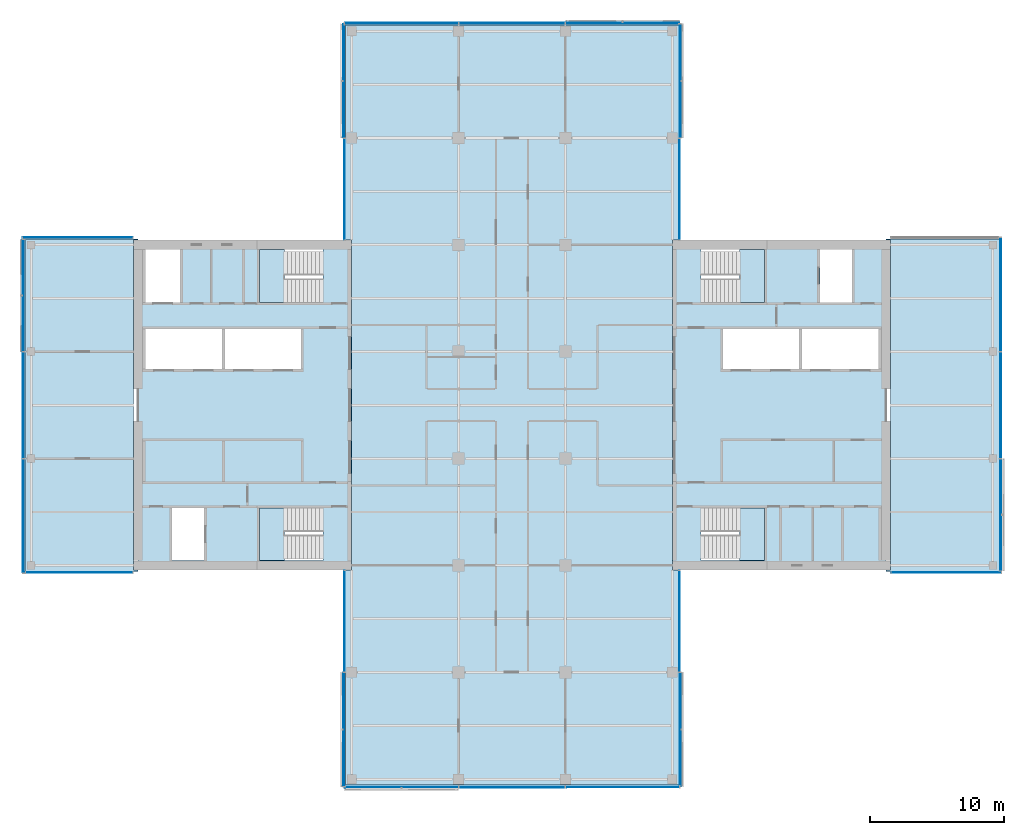
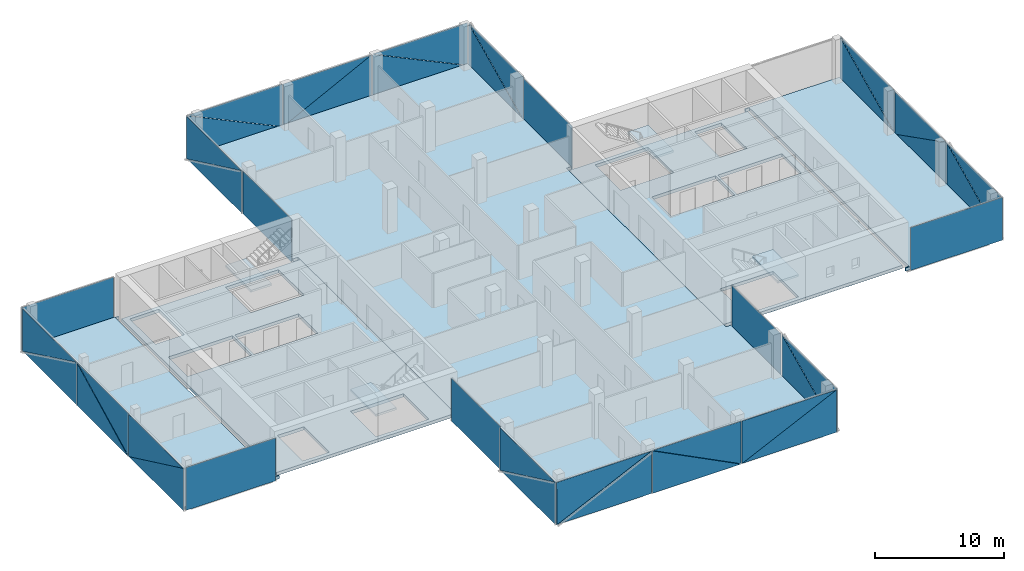
# One storey, part 12 of 22: 39 plates, 9 slabs, 19 elements without a shape of their own.
"""IFC4 building model written with IfcOpenShell, lengths in metres."""

from ifc_helpers import new_model, si_unit, direction, frame, origin, place, context, subcontext, project, spatial, polyline, outline, extrude, material, layer, layer_set, type_object, element, aggregate, save


model = new_model("IFC4")

# Units and contexts
model_context = context("Model", 3, precision=1e-05, world=origin(), true_north=direction((0.0, 1.0)))
body_context = subcontext(model_context, "Body", "Model", "MODEL_VIEW")
ifc_project = project(units=[si_unit("LENGTHUNIT", "METRE"), si_unit("AREAUNIT", "SQUARE_METRE"), si_unit("VOLUMEUNIT", "CUBIC_METRE"), si_unit("PLANEANGLEUNIT", "RADIAN"), si_unit("MASSUNIT", "GRAM", prefix="KILO")], contexts=[model_context])

# Site, building, storey
site_placement = place(None, origin())
site = spatial("IfcSite", under=ifc_project, at=site_placement, CompositionType="ELEMENT")
building_placement = place(site_placement, origin())
building = spatial("IfcBuilding", under=site, at=building_placement, Name="Crosswind Convention Tower", CompositionType="ELEMENT")
storey_placement = place(building_placement, frame((0.0, 0.0, 167.300048828125)))
storey = spatial("IfcBuildingStorey", under=building, at=storey_placement, Name="L35", CompositionType="ELEMENT", Elevation=167.300048828125)

# Slabs
ifc_material_1 = material(Name="Concrete C40/50", Category="concrete")
ifc_layer_1 = layer(ifc_material_1, 0.300048828125)
ifc_layer_set_1 = layer_set([ifc_layer_1], Name="Concrete C40/50")
slab_type_1 = type_object("IfcSlabType", Name="Composite floor slab 300", PredefinedType="FLOOR", material=ifc_layer_set_1)
slab_1_placement = place(storey_placement, frame((0.0, 0.0, -0.300048828125)))
element("IfcSlab", 1, at=slab_1_placement, inside=storey, type_object=slab_type_1, Name="Floor slab L35 part 1", PredefinedType="FLOOR", context=body_context, shape_type="SweptSolid", body=[
    extrude(outline(polyline([(97.0, 87.550048828125), (89.0, 87.550048828125), (88.550048828125, 87.550048828125), (88.550048828125, 88.0), (88.550048828125, 112.0), (88.550048828125, 112.449951171875), (89.0, 112.449951171875), (97.0, 112.449951171875), (97.0, 112.35009765625), (96.64990234375, 112.35009765625), (96.64990234375, 87.64990234375), (97.0, 87.64990234375), (97.0, 87.550048828125)])), origin(), (0.0, 0.0, 1.0), 0.300048828125),
])
slab_2_placement = place(storey_placement, frame((0.0, 0.0, -0.300048828125)))
element("IfcSlab", 2, at=slab_2_placement, inside=storey, type_object=slab_type_1, Name="Floor slab L35 part 2", PredefinedType="FLOOR", context=body_context, shape_type="SweptSolid", body=[
    extrude(outline(polyline([(112.550048828125, 87.64990234375), (113.0, 87.64990234375), (113.0, 112.35009765625), (112.550048828125, 112.35009765625), (112.550048828125, 128.0), (112.550048828125, 128.449951171875), (113.0, 128.449951171875), (137.0, 128.449951171875), (137.449951171875, 128.449951171875), (137.449951171875, 128.0), (137.449951171875, 112.35009765625), (137.0, 112.35009765625), (137.0, 87.64990234375), (137.449951171875, 87.64990234375), (137.449951171875, 72.0), (137.449951171875, 71.550048828125), (137.0, 71.550048828125), (113.0, 71.550048828125), (112.550048828125, 71.550048828125), (112.550048828125, 72.0), (112.550048828125, 87.64990234375)])), origin(), (0.0, 0.0, 1.0), 0.300048828125),
])
slab_3_placement = place(storey_placement, frame((0.0, 0.0, -0.300048828125)))
element("IfcSlab", 3, at=slab_3_placement, inside=storey, type_object=slab_type_1, Name="Floor slab L35 part 3", PredefinedType="FLOOR", context=body_context, shape_type="SweptSolid", body=[
    extrude(outline(polyline([(153.0, 112.449951171875), (161.0, 112.449951171875), (161.449951171875, 112.449951171875), (161.449951171875, 112.0), (161.449951171875, 88.0), (161.449951171875, 87.550048828125), (161.0, 87.550048828125), (153.0, 87.550048828125), (153.0, 87.64990234375), (153.35009765625, 87.64990234375), (153.35009765625, 112.35009765625), (153.0, 112.35009765625), (153.0, 112.449951171875)])), origin(), (0.0, 0.0, 1.0), 0.300048828125),
])
ifc_layer_2 = layer(ifc_material_1, 0.300048828125)
ifc_layer_set_2 = layer_set([ifc_layer_2], Name="Concrete C40/50")
slab_type_2 = type_object("IfcSlabType", Name="Concrete core floor slab 300", PredefinedType="FLOOR", material=ifc_layer_set_2)
slab_4_placement = place(storey_placement, frame((0.0, 0.0, -0.300048828125)))
element("IfcSlab", 4, at=slab_4_placement, inside=storey, type_object=slab_type_2, Name="Core floor slab E L35", PredefinedType="FLOOR", context=body_context, shape_type="SweptSolid", body=[
    extrude(outline(polyline([(137.0, 88.0), (153.0, 88.0), (153.0, 112.0), (137.0, 112.0), (137.0, 88.0)]), holes=[polyline([(146.5, 102.699951171875), (146.5, 105.699951171875), (140.800048828125, 105.699951171875), (140.800048828125, 102.699951171875), (146.5, 102.699951171875)]), polyline([(152.449951171875, 102.699951171875), (152.449951171875, 105.699951171875), (146.699951171875, 105.699951171875), (146.699951171875, 102.699951171875), (152.449951171875, 102.699951171875)]), polyline([(150.449951171875, 107.699951171875), (150.449951171875, 111.64990234375), (148.050048828125, 111.64990234375), (148.050048828125, 107.699951171875), (150.449951171875, 107.699951171875)]), polyline([(143.89990234375, 107.699951171875), (143.89990234375, 111.64990234375), (139.14990234375, 111.64990234375), (139.14990234375, 107.699951171875), (143.89990234375, 107.699951171875)]), polyline([(143.89990234375, 88.35009765625), (143.89990234375, 92.300048828125), (139.14990234375, 92.300048828125), (139.14990234375, 88.35009765625), (143.89990234375, 88.35009765625)])]), origin(), (0.0, 0.0, 1.0), 0.300048828125),
])
slab_5_placement = place(storey_placement, frame((0.0, 0.0, -0.300048828125)))
element("IfcSlab", 5, at=slab_5_placement, inside=storey, type_object=slab_type_2, Name="Core floor slab W L35", PredefinedType="FLOOR", context=body_context, shape_type="SweptSolid", body=[
    extrude(outline(polyline([(97.0, 88.0), (113.0, 88.0), (113.0, 112.0), (97.0, 112.0), (97.0, 88.0)]), holes=[polyline([(109.199951171875, 102.699951171875), (109.199951171875, 105.699951171875), (103.5, 105.699951171875), (103.5, 102.699951171875), (109.199951171875, 102.699951171875)]), polyline([(103.300048828125, 102.699951171875), (103.300048828125, 105.699951171875), (97.550048828125, 105.699951171875), (97.550048828125, 102.699951171875), (103.300048828125, 102.699951171875)]), polyline([(101.949951171875, 88.35009765625), (101.949951171875, 92.300048828125), (99.550048828125, 92.300048828125), (99.550048828125, 88.35009765625), (101.949951171875, 88.35009765625)]), polyline([(100.14990234375, 107.699951171875), (100.14990234375, 111.64990234375), (97.550048828125, 111.64990234375), (97.550048828125, 107.699951171875), (100.14990234375, 107.699951171875)]), polyline([(110.85009765625, 88.35009765625), (110.85009765625, 92.300048828125), (106.10009765625, 92.300048828125), (106.10009765625, 88.35009765625), (110.85009765625, 88.35009765625)]), polyline([(110.85009765625, 107.699951171875), (110.85009765625, 111.64990234375), (106.10009765625, 111.64990234375), (106.10009765625, 107.699951171875), (110.85009765625, 107.699951171875)])]), origin(), (0.0, 0.0, 1.0), 0.300048828125),
])

# Stair, slab
stair_type = type_object("IfcStairType", Name="Exit stair 1800 wide, 2 flights of 11 risers", PredefinedType="HALF_TURN_STAIR", material=ifc_material_1)
stair_1_placement = place(storey_placement, origin())
stair_1 = element("IfcStair", 6, at=stair_1_placement, inside=storey, type_object=stair_type, Name="Exit stair ST1 L35", ObjectType="ST5", PredefinedType="HALF_TURN_STAIR")
ifc_layer_3 = layer(ifc_material_1, 0.199951171875)
ifc_layer_set_3 = layer_set([ifc_layer_3], Name="Concrete C40/50")
slab_type_3 = type_object("IfcSlabType", Name="Stair landing 200", PredefinedType="LANDING", material=ifc_layer_set_3)
slab_6_placement = place(storey_placement, frame((0.0, 0.0, 1.89990234375)))
slab_6 = element("IfcSlab", 7, at=slab_6_placement, type_object=slab_type_3, Name="ST1 landing 1", PredefinedType="LANDING", context=body_context, shape_type="SweptSolid", body=[
    extrude(outline(polyline([(143.89990234375, 107.699951171875), (143.89990234375, 111.64990234375), (142.050048828125, 111.64990234375), (142.050048828125, 107.699951171875), (143.89990234375, 107.699951171875)])), origin(), (0.0, 0.0, 1.0), 0.199951171875),
])
aggregate(stair_1, [slab_6])

stair_2_placement = place(storey_placement, origin())
stair_2 = element("IfcStair", 8, at=stair_2_placement, inside=storey, type_object=stair_type, Name="Exit stair ST2 L35", ObjectType="ST5", PredefinedType="HALF_TURN_STAIR")
slab_7_placement = place(storey_placement, frame((0.0, 0.0, 1.89990234375)))
slab_7 = element("IfcSlab", 9, at=slab_7_placement, type_object=slab_type_3, Name="ST2 landing 1", PredefinedType="LANDING", context=body_context, shape_type="SweptSolid", body=[
    extrude(outline(polyline([(143.89990234375, 88.35009765625), (143.89990234375, 92.300048828125), (142.050048828125, 92.300048828125), (142.050048828125, 88.35009765625), (143.89990234375, 88.35009765625)])), origin(), (0.0, 0.0, 1.0), 0.199951171875),
])
aggregate(stair_2, [slab_7])

stair_3_placement = place(storey_placement, origin())
stair_3 = element("IfcStair", 10, at=stair_3_placement, inside=storey, type_object=stair_type, Name="Exit stair ST3 L35", ObjectType="ST5", PredefinedType="HALF_TURN_STAIR")
slab_8_placement = place(storey_placement, frame((0.0, 0.0, 1.89990234375)))
slab_8 = element("IfcSlab", 11, at=slab_8_placement, type_object=slab_type_3, Name="ST3 landing 1", PredefinedType="LANDING", context=body_context, shape_type="SweptSolid", body=[
    extrude(outline(polyline([(107.949951171875, 88.35009765625), (107.949951171875, 92.300048828125), (106.10009765625, 92.300048828125), (106.10009765625, 88.35009765625), (107.949951171875, 88.35009765625)])), origin(), (0.0, 0.0, 1.0), 0.199951171875),
])
aggregate(stair_3, [slab_8])

stair_4_placement = place(storey_placement, origin())
stair_4 = element("IfcStair", 12, at=stair_4_placement, inside=storey, type_object=stair_type, Name="Exit stair ST4 L35", ObjectType="ST5", PredefinedType="HALF_TURN_STAIR")
slab_9_placement = place(storey_placement, frame((0.0, 0.0, 1.89990234375)))
slab_9 = element("IfcSlab", 13, at=slab_9_placement, type_object=slab_type_3, Name="ST4 landing 1", PredefinedType="LANDING", context=body_context, shape_type="SweptSolid", body=[
    extrude(outline(polyline([(107.949951171875, 107.699951171875), (107.949951171875, 111.64990234375), (106.10009765625, 111.64990234375), (106.10009765625, 107.699951171875), (107.949951171875, 107.699951171875)])), origin(), (0.0, 0.0, 1.0), 0.199951171875),
])
aggregate(stair_4, [slab_9])

# Curtain wall, plate
ifc_material_2 = material(Name="Aluminium unitised curtain wall", Category="aluminium")
curtain_wall_type_1 = type_object("IfcCurtainWallType", Name="CORE END SLOT WALL 160", PredefinedType="USERDEFINED", material=ifc_material_2)
curtain_wall_1_placement = place(storey_placement, origin())
curtain_wall_1 = element("IfcCurtainWall", 14, at=curtain_wall_1_placement, inside=storey, type_object=curtain_wall_type_1, Name="CW6 L35 N-E.1-1 slot", ObjectType="UNITISED", PredefinedType="USERDEFINED")
ifc_material_3 = material(Name="Laminated insulating glass unit", Category="glass")
ifc_layer_4 = layer(ifc_material_3, 0.02587890625)
ifc_layer_set_4 = layer_set([ifc_layer_4], Name="TRIANGULAR GLASS PANEL 26")
plate_type_1 = type_object("IfcPlateType", Name="TRIANGULAR GLASS PANEL 26", PredefinedType="CURTAIN_PANEL", material=ifc_layer_set_4)
plate_1_placement = place(storey_placement, frame((137.556884765625, 112.39990234375, -0.300048828125), z_axis=(0.999999910972, 0.0, 0.000421966326), x_axis=(0.0, 1.0, 0.0)))
plate_1 = element("IfcPlate", 15, at=plate_1_placement, type_object=plate_type_1, Name="CW6 panel 1.1", PredefinedType="CURTAIN_PANEL", context=body_context, shape_type="SweptSolid", body=[
    extrude(outline(polyline([(0.0, 0.0), (7.550048828125, 0.0), (7.550048828125, 4.050049188691945), (0.0, 4.050049188691945), (0.0, 0.0)])), origin(), (0.0, 0.0, -1.0), 0.02587890625),
])
aggregate(curtain_wall_1, [plate_1])

curtain_wall_2_placement = place(storey_placement, origin())
curtain_wall_2 = element("IfcCurtainWall", 16, at=curtain_wall_2_placement, inside=storey, type_object=curtain_wall_type_1, Name="CW6 L35 N-W.1-2 slot", ObjectType="UNITISED", PredefinedType="USERDEFINED")
plate_2_placement = place(storey_placement, frame((112.443115234375, 119.949951171875, -0.300048828125), z_axis=(-0.999999910972, 0.0, 0.000421966326), x_axis=(0.0, -1.0, 0.0)))
plate_2 = element("IfcPlate", 17, at=plate_2_placement, type_object=plate_type_1, Name="CW6 panel 1.1", PredefinedType="CURTAIN_PANEL", context=body_context, shape_type="SweptSolid", body=[
    extrude(outline(polyline([(0.0, 0.0), (7.550048828125, 0.0), (7.550048828125, 4.050049188691945), (0.0, 4.050049188691945), (0.0, 0.0)])), origin(), (0.0, 0.0, -1.0), 0.02587890625),
])
aggregate(curtain_wall_2, [plate_2])

curtain_wall_3_placement = place(storey_placement, origin())
curtain_wall_3 = element("IfcCurtainWall", 18, at=curtain_wall_3_placement, inside=storey, type_object=curtain_wall_type_1, Name="CW6 L35 W-N.2-1 slot", ObjectType="UNITISED", PredefinedType="USERDEFINED")
plate_3_placement = place(storey_placement, frame((96.60009765625, 112.556884765625, -0.300048828125), z_axis=(0.0, 0.999999910972, 0.000421966326), x_axis=(-1.0, 0.0, 0.0)))
plate_3 = element("IfcPlate", 19, at=plate_3_placement, type_object=plate_type_1, Name="CW6 panel 1.1", PredefinedType="CURTAIN_PANEL", context=body_context, shape_type="SweptSolid", body=[
    extrude(outline(polyline([(0.0, 0.0), (8.22021484375, 0.0), (8.22021484375, 4.050049188691944), (0.0, 4.050049188691944), (0.0, 0.0)])), origin(), (0.0, 0.0, -1.0), 0.02587890625),
])
aggregate(curtain_wall_3, [plate_3])

curtain_wall_4_placement = place(storey_placement, origin())
curtain_wall_4 = element("IfcCurtainWall", 20, at=curtain_wall_4_placement, inside=storey, type_object=curtain_wall_type_1, Name="CW6 L35 W-S.1-1 slot", ObjectType="UNITISED", PredefinedType="USERDEFINED")
plate_4_placement = place(storey_placement, frame((88.60009765625, 87.443115234375, -0.300048828125), z_axis=(0.0, -0.999999910972, 0.000421966326), x_axis=(1.0, 0.0, 0.0)))
plate_4 = element("IfcPlate", 21, at=plate_4_placement, type_object=plate_type_1, Name="CW6 panel 1.1", PredefinedType="CURTAIN_PANEL", context=body_context, shape_type="SweptSolid", body=[
    extrude(outline(polyline([(0.0, 0.0), (8.0, 0.0), (8.0, 4.050049188691945), (0.0, 4.050049188691945), (0.0, 0.0)])), origin(), (0.0, 0.0, -1.0), 0.02587890625),
])
aggregate(curtain_wall_4, [plate_4])

curtain_wall_5_placement = place(storey_placement, origin())
curtain_wall_5 = element("IfcCurtainWall", 22, at=curtain_wall_5_placement, inside=storey, type_object=curtain_wall_type_1, Name="CW6 L35 S-W.1-1 slot", ObjectType="UNITISED", PredefinedType="USERDEFINED")
plate_5_placement = place(storey_placement, frame((112.443115234375, 87.60009765625, -0.300048828125), z_axis=(-0.999999910972, 0.0, 0.000421966326), x_axis=(0.0, -1.0, 0.0)))
plate_5 = element("IfcPlate", 23, at=plate_5_placement, type_object=plate_type_1, Name="CW6 panel 1.1", PredefinedType="CURTAIN_PANEL", context=body_context, shape_type="SweptSolid", body=[
    extrude(outline(polyline([(0.0, 0.0), (7.550048828125, 0.0), (7.550048828125, 4.050049188691945), (0.0, 4.050049188691945), (0.0, 0.0)])), origin(), (0.0, 0.0, -1.0), 0.02587890625),
])
aggregate(curtain_wall_5, [plate_5])

curtain_wall_6_placement = place(storey_placement, origin())
curtain_wall_6 = element("IfcCurtainWall", 24, at=curtain_wall_6_placement, inside=storey, type_object=curtain_wall_type_1, Name="CW6 L35 S-E.1-2 slot", ObjectType="UNITISED", PredefinedType="USERDEFINED")
plate_6_placement = place(storey_placement, frame((137.556884765625, 80.050048828125, -0.300048828125), z_axis=(0.999999910972, 0.0, 0.000421966326), x_axis=(0.0, 1.0, 0.0)))
plate_6 = element("IfcPlate", 25, at=plate_6_placement, type_object=plate_type_1, Name="CW6 panel 1.1", PredefinedType="CURTAIN_PANEL", context=body_context, shape_type="SweptSolid", body=[
    extrude(outline(polyline([(0.0, 0.0), (7.550048828125, 0.0), (7.550048828125, 4.050049188691945), (0.0, 4.050049188691945), (0.0, 0.0)])), origin(), (0.0, 0.0, -1.0), 0.02587890625),
])
aggregate(curtain_wall_6, [plate_6])

curtain_wall_7_placement = place(storey_placement, origin())
curtain_wall_7 = element("IfcCurtainWall", 26, at=curtain_wall_7_placement, inside=storey, type_object=curtain_wall_type_1, Name="CW6 L35 E-S.2-1 slot", ObjectType="UNITISED", PredefinedType="USERDEFINED")
plate_7_placement = place(storey_placement, frame((153.39990234375, 87.443115234375, -0.300048828125), z_axis=(0.0, -0.999999910972, 0.000421966326), x_axis=(1.0, 0.0, 0.0)))
plate_7 = element("IfcPlate", 27, at=plate_7_placement, type_object=plate_type_1, Name="CW6 panel 1.1", PredefinedType="CURTAIN_PANEL", context=body_context, shape_type="SweptSolid", body=[
    extrude(outline(polyline([(0.0, 0.0), (8.22021484375, 0.0), (8.22021484375, 4.050049188691944), (0.0, 4.050049188691944), (0.0, 0.0)])), origin(), (0.0, 0.0, -1.0), 0.02587890625),
])
aggregate(curtain_wall_7, [plate_7])

# Curtain wall, plates
curtain_wall_type_2 = type_object("IfcCurtainWallType", Name="OFFICE UNITISED WALL 220", PredefinedType="USERDEFINED", material=ifc_material_2)
curtain_wall_8_placement = place(storey_placement, origin())
curtain_wall_8 = element("IfcCurtainWall", 28, at=curtain_wall_8_placement, inside=storey, type_object=curtain_wall_type_2, Name="CW3 L35 E-TIP 1", ObjectType="UNITISED", PredefinedType="USERDEFINED")
ifc_layer_5 = layer(ifc_material_3, 0.031982421875)
ifc_layer_set_5 = layer_set([ifc_layer_5], Name="TRIANGULAR GLASS PANEL 32")
plate_type_2 = type_object("IfcPlateType", Name="TRIANGULAR GLASS PANEL 32", PredefinedType="CURTAIN_PANEL", material=ifc_layer_set_5)
plate_8_placement = place(storey_placement, frame((161.5927734375, 95.965087890625, -0.300048828125), z_axis=(0.999999933571, 0.0, 0.00036449788), x_axis=(-0.00036449788, 0.0, 0.999999933571)))
plate_8 = element("IfcPlate", 29, at=plate_8_placement, type_object=plate_type_2, Name="CW3 panel 1.1", PredefinedType="CURTAIN_PANEL", context=body_context, shape_type="SweptSolid", body=[
    extrude(outline(polyline([(0.0, 0.0), (4.01879909509123, 0.0), (0.0, 8.322021484374998), (0.0, 0.0)])), origin(), (0.0, 0.0, -1.0), 0.031982421875),
])
plate_9_placement = place(storey_placement, frame((161.625244140625, 87.6201171875, 3.72998046875), z_axis=(0.999999933579, 0.0, 0.000364475738), x_axis=(0.000364475738, 0.0, -0.999999933579)))
plate_9 = element("IfcPlate", 30, at=plate_9_placement, type_object=plate_type_2, Name="CW3 panel 1.2", PredefinedType="CURTAIN_PANEL", context=body_context, shape_type="SweptSolid", body=[
    extrude(outline(polyline([(0.0, 0.0), (4.019043235700012, 0.0), (0.0, 8.321777343750002), (0.0, 0.0)])), origin(), (0.0, 0.0, -1.0), 0.031982421875),
])
plate_10_placement = place(storey_placement, frame((161.59130859375, 103.965087890625, 3.72998046875), z_axis=(0.999999933571, 0.0, 0.00036449788), x_axis=(0.0, -1.0, 0.0)))
plate_10 = element("IfcPlate", 31, at=plate_10_placement, type_object=plate_type_2, Name="CW3 panel 2.1", PredefinedType="CURTAIN_PANEL", context=body_context, shape_type="SweptSolid", body=[
    extrude(outline(polyline([(0.0, 0.0), (7.907958984375, 0.0), (0.0, 4.01879909509123), (0.0, 0.0)])), origin(), (0.0, 0.0, -1.0), 0.031982421875),
])
plate_11_placement = place(storey_placement, frame((161.626708984375, 96.034912109375, -0.300048828125), z_axis=(0.999999933571, 0.0, 0.00036449788), x_axis=(0.0, 1.0, 0.0)))
plate_11 = element("IfcPlate", 32, at=plate_11_placement, type_object=plate_type_2, Name="CW3 panel 2.2", PredefinedType="CURTAIN_PANEL", context=body_context, shape_type="SweptSolid", body=[
    extrude(outline(polyline([(0.0, 0.0), (7.907958984375, 0.0), (0.0, 4.01879909509123), (0.0, 0.0)])), origin(), (0.0, 0.0, -1.0), 0.031982421875),
])
plate_12_placement = place(storey_placement, frame((161.5927734375, 112.5400390625, -0.300048828125), z_axis=(0.999999933579, 0.0, 0.000364475738), x_axis=(-0.000364475738, 0.0, 0.999999933579)))
plate_12 = element("IfcPlate", 33, at=plate_12_placement, type_object=plate_type_2, Name="CW3 panel 3.1", PredefinedType="CURTAIN_PANEL", context=body_context, shape_type="SweptSolid", body=[
    extrude(outline(polyline([(0.0, 0.0), (4.019043235700012, 0.0), (0.0, 8.481689453125), (0.0, 0.0)])), origin(), (0.0, 0.0, -1.0), 0.031982421875),
])
plate_13_placement = place(storey_placement, frame((161.625244140625, 104.034912109375, 3.72998046875), z_axis=(0.999999933579, 0.0, 0.000364475738), x_axis=(0.000364475738, 0.0, -0.999999933579)))
plate_13 = element("IfcPlate", 34, at=plate_13_placement, type_object=plate_type_2, Name="CW3 panel 3.2", PredefinedType="CURTAIN_PANEL", context=body_context, shape_type="SweptSolid", body=[
    extrude(outline(polyline([(0.0, 0.0), (4.019043235700012, 0.0), (0.0, 8.481689453125), (0.0, 0.0)])), origin(), (0.0, 0.0, -1.0), 0.031982421875),
])
aggregate(curtain_wall_8, [plate_8, plate_9, plate_10, plate_11, plate_12, plate_13])

curtain_wall_9_placement = place(storey_placement, origin())
curtain_wall_9 = element("IfcCurtainWall", 35, at=curtain_wall_9_placement, inside=storey, type_object=curtain_wall_type_2, Name="CW3 L35 N-E 1", ObjectType="UNITISED", PredefinedType="USERDEFINED")
plate_14_placement = place(storey_placement, frame((137.5927734375, 128.52490234375, -0.300048828125), z_axis=(0.999999933579, 0.0, 0.000364475738), x_axis=(-0.000364475738, 0.0, 0.999999933579)))
plate_14 = element("IfcPlate", 36, at=plate_14_placement, type_object=plate_type_2, Name="CW3 panel 1.1", PredefinedType="CURTAIN_PANEL", context=body_context, shape_type="SweptSolid", body=[
    extrude(outline(polyline([(0.0, 0.0), (4.019043235700012, 0.0), (0.0, 8.466552734375), (0.0, 0.0)])), origin(), (0.0, 0.0, -1.0), 0.031982421875),
])
plate_15_placement = place(storey_placement, frame((137.625244140625, 120.034912109375, 3.72998046875), z_axis=(0.999999933579, 0.0, 0.000364475738), x_axis=(0.000364475738, 0.0, -0.999999933579)))
plate_15 = element("IfcPlate", 37, at=plate_15_placement, type_object=plate_type_2, Name="CW3 panel 1.2", PredefinedType="CURTAIN_PANEL", context=body_context, shape_type="SweptSolid", body=[
    extrude(outline(polyline([(0.0, 0.0), (4.019043235700012, 0.0), (0.0, 8.466796875), (0.0, 0.0)])), origin(), (0.0, 0.0, -1.0), 0.031982421875),
])
aggregate(curtain_wall_9, [plate_14, plate_15])

curtain_wall_10_placement = place(storey_placement, origin())
curtain_wall_10 = element("IfcCurtainWall", 38, at=curtain_wall_10_placement, inside=storey, type_object=curtain_wall_type_2, Name="CW3 L35 N-TIP 1", ObjectType="UNITISED", PredefinedType="USERDEFINED")
plate_16_placement = place(storey_placement, frame((129.034912109375, 128.5927734375, -0.300048828125), z_axis=(0.0, 0.999999933579, 0.000364475738), x_axis=(0.0, -0.000364475738, 0.999999933579)))
plate_16 = element("IfcPlate", 39, at=plate_16_placement, type_object=plate_type_2, Name="CW3 panel 1.1", PredefinedType="CURTAIN_PANEL", context=body_context, shape_type="SweptSolid", body=[
    extrude(outline(polyline([(0.0, 0.0), (4.019043235700012, 0.0), (0.0, 8.466796875), (0.0, 0.0)])), origin(), (0.0, 0.0, -1.0), 0.031982421875),
])
plate_17_placement = place(storey_placement, frame((137.52490234375, 128.625244140625, 3.72998046875), z_axis=(0.0, 0.999999933579, 0.000364475738), x_axis=(0.0, 0.000364475738, -0.999999933579)))
plate_17 = element("IfcPlate", 40, at=plate_17_placement, type_object=plate_type_2, Name="CW3 panel 1.2", PredefinedType="CURTAIN_PANEL", context=body_context, shape_type="SweptSolid", body=[
    extrude(outline(polyline([(0.0, 0.0), (4.019043235700012, 0.0), (0.0, 8.466552734375), (0.0, 0.0)])), origin(), (0.0, 0.0, -1.0), 0.031982421875),
])
plate_18_placement = place(storey_placement, frame((121.034912109375, 128.59130859375, 3.72998046875), z_axis=(0.0, 0.999999933571, 0.00036449788), x_axis=(1.0, 0.0, 0.0)))
plate_18 = element("IfcPlate", 41, at=plate_18_placement, type_object=plate_type_2, Name="CW3 panel 2.1", PredefinedType="CURTAIN_PANEL", context=body_context, shape_type="SweptSolid", body=[
    extrude(outline(polyline([(0.0, 0.0), (7.907958984375, 0.0), (0.0, 4.01879909509123), (0.0, 0.0)])), origin(), (0.0, 0.0, -1.0), 0.031982421875),
])
plate_19_placement = place(storey_placement, frame((128.965087890625, 128.626708984375, -0.300048828125), z_axis=(0.0, 0.999999933571, 0.00036449788), x_axis=(-1.0, 0.0, 0.0)))
plate_19 = element("IfcPlate", 42, at=plate_19_placement, type_object=plate_type_2, Name="CW3 panel 2.2", PredefinedType="CURTAIN_PANEL", context=body_context, shape_type="SweptSolid", body=[
    extrude(outline(polyline([(0.0, 0.0), (7.907958984375, 0.0), (0.0, 4.01879909509123), (0.0, 0.0)])), origin(), (0.0, 0.0, -1.0), 0.031982421875),
])
plate_20_placement = place(storey_placement, frame((112.47509765625, 128.5927734375, -0.300048828125), z_axis=(0.0, 0.999999933579, 0.000364475738), x_axis=(0.0, -0.000364475738, 0.999999933579)))
plate_20 = element("IfcPlate", 43, at=plate_20_placement, type_object=plate_type_2, Name="CW3 panel 3.1", PredefinedType="CURTAIN_PANEL", context=body_context, shape_type="SweptSolid", body=[
    extrude(outline(polyline([(0.0, 0.0), (4.019043235700012, 0.0), (0.0, 8.466552734375), (0.0, 0.0)])), origin(), (0.0, 0.0, -1.0), 0.031982421875),
])
plate_21_placement = place(storey_placement, frame((120.965087890625, 128.625244140625, 3.72998046875), z_axis=(0.0, 0.999999933579, 0.000364475738), x_axis=(0.0, 0.000364475738, -0.999999933579)))
plate_21 = element("IfcPlate", 44, at=plate_21_placement, type_object=plate_type_2, Name="CW3 panel 3.2", PredefinedType="CURTAIN_PANEL", context=body_context, shape_type="SweptSolid", body=[
    extrude(outline(polyline([(0.0, 0.0), (4.019043235700012, 0.0), (0.0, 8.466796875), (0.0, 0.0)])), origin(), (0.0, 0.0, -1.0), 0.031982421875),
])
aggregate(curtain_wall_10, [plate_16, plate_17, plate_18, plate_19, plate_20, plate_21])

curtain_wall_11_placement = place(storey_placement, origin())
curtain_wall_11 = element("IfcCurtainWall", 45, at=curtain_wall_11_placement, inside=storey, type_object=curtain_wall_type_2, Name="CW3 L35 N-W 1", ObjectType="UNITISED", PredefinedType="USERDEFINED")
plate_22_placement = place(storey_placement, frame((112.4072265625, 120.034912109375, -0.300048828125), z_axis=(-0.999999933579, 0.0, 0.000364475738), x_axis=(0.000364475738, 0.0, 0.999999933579)))
plate_22 = element("IfcPlate", 46, at=plate_22_placement, type_object=plate_type_2, Name="CW3 panel 1.1", PredefinedType="CURTAIN_PANEL", context=body_context, shape_type="SweptSolid", body=[
    extrude(outline(polyline([(0.0, 0.0), (4.019043235700012, 0.0), (0.0, 8.466796875), (0.0, 0.0)])), origin(), (0.0, 0.0, -1.0), 0.031982421875),
])
plate_23_placement = place(storey_placement, frame((112.374755859375, 128.52490234375, 3.72998046875), z_axis=(-0.999999933579, 0.0, 0.000364475738), x_axis=(-0.000364475738, 0.0, -0.999999933579)))
plate_23 = element("IfcPlate", 47, at=plate_23_placement, type_object=plate_type_2, Name="CW3 panel 1.2", PredefinedType="CURTAIN_PANEL", context=body_context, shape_type="SweptSolid", body=[
    extrude(outline(polyline([(0.0, 0.0), (4.019043235700012, 0.0), (0.0, 8.466552734375), (0.0, 0.0)])), origin(), (0.0, 0.0, -1.0), 0.031982421875),
])
aggregate(curtain_wall_11, [plate_22, plate_23])

curtain_wall_12_placement = place(storey_placement, origin())
curtain_wall_12 = element("IfcCurtainWall", 48, at=curtain_wall_12_placement, inside=storey, type_object=curtain_wall_type_2, Name="CW3 L35 W-TIP 1", ObjectType="UNITISED", PredefinedType="USERDEFINED")
plate_24_placement = place(storey_placement, frame((88.4072265625, 104.034912109375, -0.300048828125), z_axis=(-0.999999933571, 0.0, 0.00036449788), x_axis=(0.00036449788, 0.0, 0.999999933571)))
plate_24 = element("IfcPlate", 49, at=plate_24_placement, type_object=plate_type_2, Name="CW3 panel 1.1", PredefinedType="CURTAIN_PANEL", context=body_context, shape_type="SweptSolid", body=[
    extrude(outline(polyline([(0.0, 0.0), (4.01879909509123, 0.0), (0.0, 8.322021484374998), (0.0, 0.0)])), origin(), (0.0, 0.0, -1.0), 0.031982421875),
])
plate_25_placement = place(storey_placement, frame((88.374755859375, 112.3798828125, 3.72998046875), z_axis=(-0.999999933579, 0.0, 0.000364475738), x_axis=(-0.000364475738, 0.0, -0.999999933579)))
plate_25 = element("IfcPlate", 50, at=plate_25_placement, type_object=plate_type_2, Name="CW3 panel 1.2", PredefinedType="CURTAIN_PANEL", context=body_context, shape_type="SweptSolid", body=[
    extrude(outline(polyline([(0.0, 0.0), (4.019043235700012, 0.0), (0.0, 8.321777343750002), (0.0, 0.0)])), origin(), (0.0, 0.0, -1.0), 0.031982421875),
])
plate_26_placement = place(storey_placement, frame((88.40869140625, 96.034912109375, 3.72998046875), z_axis=(-0.999999933571, 0.0, 0.00036449788), x_axis=(0.0, 1.0, 0.0)))
plate_26 = element("IfcPlate", 51, at=plate_26_placement, type_object=plate_type_2, Name="CW3 panel 2.1", PredefinedType="CURTAIN_PANEL", context=body_context, shape_type="SweptSolid", body=[
    extrude(outline(polyline([(0.0, 0.0), (7.907958984375, 0.0), (0.0, 4.01879909509123), (0.0, 0.0)])), origin(), (0.0, 0.0, -1.0), 0.031982421875),
])
plate_27_placement = place(storey_placement, frame((88.373291015625, 103.965087890625, -0.300048828125), z_axis=(-0.999999933571, 0.0, 0.00036449788), x_axis=(0.0, -1.0, 0.0)))
plate_27 = element("IfcPlate", 52, at=plate_27_placement, type_object=plate_type_2, Name="CW3 panel 2.2", PredefinedType="CURTAIN_PANEL", context=body_context, shape_type="SweptSolid", body=[
    extrude(outline(polyline([(0.0, 0.0), (7.907958984375, 0.0), (0.0, 4.01879909509123), (0.0, 0.0)])), origin(), (0.0, 0.0, -1.0), 0.031982421875),
])
plate_28_placement = place(storey_placement, frame((88.4072265625, 87.4599609375, -0.300048828125), z_axis=(-0.999999933579, 0.0, 0.000364475738), x_axis=(0.000364475738, 0.0, 0.999999933579)))
plate_28 = element("IfcPlate", 53, at=plate_28_placement, type_object=plate_type_2, Name="CW3 panel 3.1", PredefinedType="CURTAIN_PANEL", context=body_context, shape_type="SweptSolid", body=[
    extrude(outline(polyline([(0.0, 0.0), (4.019043235700012, 0.0), (0.0, 8.481689453125), (0.0, 0.0)])), origin(), (0.0, 0.0, -1.0), 0.031982421875),
])
plate_29_placement = place(storey_placement, frame((88.374755859375, 95.965087890625, 3.72998046875), z_axis=(-0.999999933579, 0.0, 0.000364475738), x_axis=(-0.000364475738, 0.0, -0.999999933579)))
plate_29 = element("IfcPlate", 54, at=plate_29_placement, type_object=plate_type_2, Name="CW3 panel 3.2", PredefinedType="CURTAIN_PANEL", context=body_context, shape_type="SweptSolid", body=[
    extrude(outline(polyline([(0.0, 0.0), (4.019043235700012, 0.0), (0.0, 8.481689453125), (0.0, 0.0)])), origin(), (0.0, 0.0, -1.0), 0.031982421875),
])
aggregate(curtain_wall_12, [plate_24, plate_25, plate_26, plate_27, plate_28, plate_29])

curtain_wall_13_placement = place(storey_placement, origin())
curtain_wall_13 = element("IfcCurtainWall", 55, at=curtain_wall_13_placement, inside=storey, type_object=curtain_wall_type_2, Name="CW3 L35 S-W 1", ObjectType="UNITISED", PredefinedType="USERDEFINED")
plate_30_placement = place(storey_placement, frame((112.4072265625, 71.47509765625, -0.300048828125), z_axis=(-0.999999933579, 0.0, 0.000364475738), x_axis=(0.000364475738, 0.0, 0.999999933579)))
plate_30 = element("IfcPlate", 56, at=plate_30_placement, type_object=plate_type_2, Name="CW3 panel 1.1", PredefinedType="CURTAIN_PANEL", context=body_context, shape_type="SweptSolid", body=[
    extrude(outline(polyline([(0.0, 0.0), (4.019043235700012, 0.0), (0.0, 8.466552734375), (0.0, 0.0)])), origin(), (0.0, 0.0, -1.0), 0.031982421875),
])
plate_31_placement = place(storey_placement, frame((112.374755859375, 79.965087890625, 3.72998046875), z_axis=(-0.999999933579, 0.0, 0.000364475738), x_axis=(-0.000364475738, 0.0, -0.999999933579)))
plate_31 = element("IfcPlate", 57, at=plate_31_placement, type_object=plate_type_2, Name="CW3 panel 1.2", PredefinedType="CURTAIN_PANEL", context=body_context, shape_type="SweptSolid", body=[
    extrude(outline(polyline([(0.0, 0.0), (4.019043235700012, 0.0), (0.0, 8.466796875), (0.0, 0.0)])), origin(), (0.0, 0.0, -1.0), 0.031982421875),
])
aggregate(curtain_wall_13, [plate_30, plate_31])

curtain_wall_14_placement = place(storey_placement, origin())
curtain_wall_14 = element("IfcCurtainWall", 58, at=curtain_wall_14_placement, inside=storey, type_object=curtain_wall_type_2, Name="CW3 L35 S-TIP 1", ObjectType="UNITISED", PredefinedType="USERDEFINED")
plate_32_placement = place(storey_placement, frame((120.965087890625, 71.4072265625, -0.300048828125), z_axis=(0.0, -0.999999933579, 0.000364475738), x_axis=(0.0, 0.000364475738, 0.999999933579)))
plate_32 = element("IfcPlate", 59, at=plate_32_placement, type_object=plate_type_2, Name="CW3 panel 1.1", PredefinedType="CURTAIN_PANEL", context=body_context, shape_type="SweptSolid", body=[
    extrude(outline(polyline([(0.0, 0.0), (4.019043235700012, 0.0), (0.0, 8.466796875), (0.0, 0.0)])), origin(), (0.0, 0.0, -1.0), 0.031982421875),
])
plate_33_placement = place(storey_placement, frame((112.47509765625, 71.374755859375, 3.72998046875), z_axis=(0.0, -0.999999933579, 0.000364475738), x_axis=(0.0, -0.000364475738, -0.999999933579)))
plate_33 = element("IfcPlate", 60, at=plate_33_placement, type_object=plate_type_2, Name="CW3 panel 1.2", PredefinedType="CURTAIN_PANEL", context=body_context, shape_type="SweptSolid", body=[
    extrude(outline(polyline([(0.0, 0.0), (4.019043235700012, 0.0), (0.0, 8.466552734375), (0.0, 0.0)])), origin(), (0.0, 0.0, -1.0), 0.031982421875),
])
plate_34_placement = place(storey_placement, frame((128.965087890625, 71.40869140625, 3.72998046875), z_axis=(0.0, -0.999999933571, 0.00036449788), x_axis=(-1.0, 0.0, 0.0)))
plate_34 = element("IfcPlate", 61, at=plate_34_placement, type_object=plate_type_2, Name="CW3 panel 2.1", PredefinedType="CURTAIN_PANEL", context=body_context, shape_type="SweptSolid", body=[
    extrude(outline(polyline([(0.0, 0.0), (7.907958984375, 0.0), (0.0, 4.01879909509123), (0.0, 0.0)])), origin(), (0.0, 0.0, -1.0), 0.031982421875),
])
plate_35_placement = place(storey_placement, frame((121.034912109375, 71.373291015625, -0.300048828125), z_axis=(0.0, -0.999999933571, 0.00036449788), x_axis=(1.0, 0.0, 0.0)))
plate_35 = element("IfcPlate", 62, at=plate_35_placement, type_object=plate_type_2, Name="CW3 panel 2.2", PredefinedType="CURTAIN_PANEL", context=body_context, shape_type="SweptSolid", body=[
    extrude(outline(polyline([(0.0, 0.0), (7.907958984375, 0.0), (0.0, 4.01879909509123), (0.0, 0.0)])), origin(), (0.0, 0.0, -1.0), 0.031982421875),
])
plate_36_placement = place(storey_placement, frame((137.52490234375, 71.4072265625, -0.300048828125), z_axis=(0.0, -0.999999933579, 0.000364475738), x_axis=(0.0, 0.000364475738, 0.999999933579)))
plate_36 = element("IfcPlate", 63, at=plate_36_placement, type_object=plate_type_2, Name="CW3 panel 3.1", PredefinedType="CURTAIN_PANEL", context=body_context, shape_type="SweptSolid", body=[
    extrude(outline(polyline([(0.0, 0.0), (4.019043235700012, 0.0), (0.0, 8.466552734375), (0.0, 0.0)])), origin(), (0.0, 0.0, -1.0), 0.031982421875),
])
plate_37_placement = place(storey_placement, frame((129.034912109375, 71.374755859375, 3.72998046875), z_axis=(0.0, -0.999999933579, 0.000364475738), x_axis=(0.0, -0.000364475738, -0.999999933579)))
plate_37 = element("IfcPlate", 64, at=plate_37_placement, type_object=plate_type_2, Name="CW3 panel 3.2", PredefinedType="CURTAIN_PANEL", context=body_context, shape_type="SweptSolid", body=[
    extrude(outline(polyline([(0.0, 0.0), (4.019043235700012, 0.0), (0.0, 8.466796875), (0.0, 0.0)])), origin(), (0.0, 0.0, -1.0), 0.031982421875),
])
aggregate(curtain_wall_14, [plate_32, plate_33, plate_34, plate_35, plate_36, plate_37])

curtain_wall_15_placement = place(storey_placement, origin())
curtain_wall_15 = element("IfcCurtainWall", 65, at=curtain_wall_15_placement, inside=storey, type_object=curtain_wall_type_2, Name="CW3 L35 S-E 1", ObjectType="UNITISED", PredefinedType="USERDEFINED")
plate_38_placement = place(storey_placement, frame((137.5927734375, 79.965087890625, -0.300048828125), z_axis=(0.999999933579, 0.0, 0.000364475738), x_axis=(-0.000364475738, 0.0, 0.999999933579)))
plate_38 = element("IfcPlate", 66, at=plate_38_placement, type_object=plate_type_2, Name="CW3 panel 1.1", PredefinedType="CURTAIN_PANEL", context=body_context, shape_type="SweptSolid", body=[
    extrude(outline(polyline([(0.0, 0.0), (4.019043235700012, 0.0), (0.0, 8.466796875), (0.0, 0.0)])), origin(), (0.0, 0.0, -1.0), 0.031982421875),
])
plate_39_placement = place(storey_placement, frame((137.625244140625, 71.47509765625, 3.72998046875), z_axis=(0.999999933579, 0.0, 0.000364475738), x_axis=(0.000364475738, 0.0, -0.999999933579)))
plate_39 = element("IfcPlate", 67, at=plate_39_placement, type_object=plate_type_2, Name="CW3 panel 1.2", PredefinedType="CURTAIN_PANEL", context=body_context, shape_type="SweptSolid", body=[
    extrude(outline(polyline([(0.0, 0.0), (4.019043235700012, 0.0), (0.0, 8.466552734375), (0.0, 0.0)])), origin(), (0.0, 0.0, -1.0), 0.031982421875),
])
aggregate(curtain_wall_15, [plate_38, plate_39])

save(model, "model.ifc")
